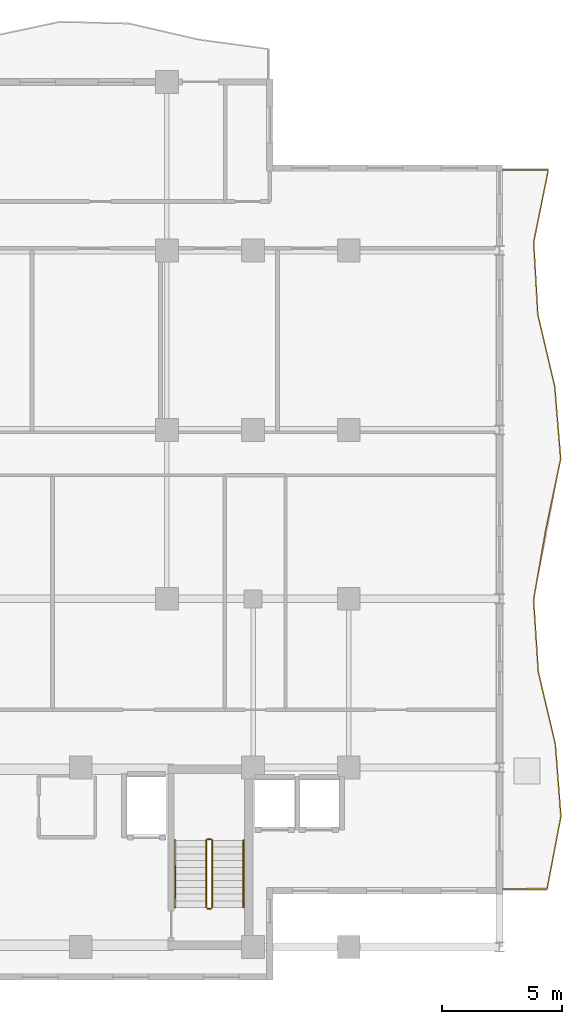
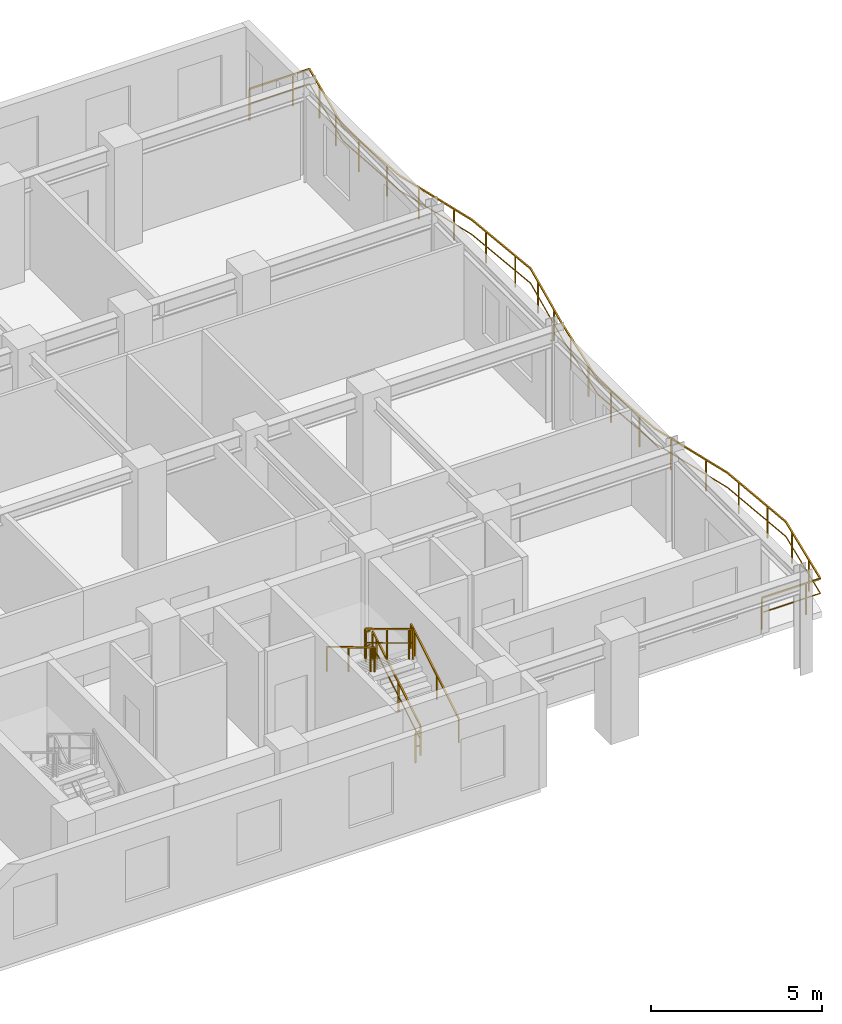
# One storey, part 19 of 20: 7 railings.
"""IFC4 building model written with IfcOpenShell, lengths in metres."""

from ifc_helpers import new_model, si_unit, direction, frame, origin, origin_2d, place, context, subcontext, project, spatial, rectangle, extrude, material, type_object, element, save


model = new_model("IFC4")

# Units and contexts
model_context = context("Model", 3, precision=1e-05, world=origin(), true_north=direction((0.0, 1.0)))
body_context = subcontext(model_context, "Body", "Model", "MODEL_VIEW")
ifc_project = project(units=[si_unit("LENGTHUNIT", "METRE"), si_unit("AREAUNIT", "SQUARE_METRE"), si_unit("VOLUMEUNIT", "CUBIC_METRE"), si_unit("PLANEANGLEUNIT", "RADIAN"), si_unit("MASSUNIT", "GRAM", prefix="KILO")], contexts=[model_context])

# Site, building, storey
site_placement = place(None, origin())
site = spatial("IfcSite", under=ifc_project, at=site_placement, CompositionType="ELEMENT")
building_placement = place(site_placement, origin())
building = spatial("IfcBuilding", under=site, at=building_placement, Name="Kaliganga Portal Commons", CompositionType="ELEMENT")
storey_placement = place(building_placement, frame((0.0, 0.0, 231.39990234375)))
storey = spatial("IfcBuildingStorey", under=building, at=storey_placement, Name="L59", CompositionType="ELEMENT", Elevation=231.39990234375)

# Railings
ifc_material_1 = material(Name="Laminated Safety Glass and Stainless Steel 316", Category="steel")
railing_type_1 = type_object("IfcRailingType", Name="RLG-BAL-1150", PredefinedType="BALUSTRADE", material=ifc_material_1)
railing_1_placement = place(storey_placement, frame((60.708984375, 9.4794921875, 0.0)))
element("IfcRailing", 1, at=railing_1_placement, inside=storey, type_object=railing_type_1, Name="Balcony Guardrail L59 balc_east", PredefinedType="BALUSTRADE", context=body_context, shape_type="SweptSolid", body=[
    extrude(rectangle(XDim=0.048095703125, YDim=0.048095703125, at=origin_2d()), frame((0.0, 0.0, 1.1259765625), z_axis=(0.999999969607, 0.000246548316, 0.0), x_axis=(-0.000246548316, 0.999999969607, 0.0)), (0.0, 0.0, 1.0), 1.98046875),
    extrude(rectangle(XDim=0.028076171875, YDim=0.028076171875, at=origin_2d()), frame((0.0, 0.0, 0.597900390625), z_axis=(0.999999969607, 0.000246548316, 0.0), x_axis=(-0.000246548316, 0.999999969607, 0.0)), (0.0, 0.0, 1.0), 1.98046875),
    extrude(rectangle(XDim=0.048095703125, YDim=0.048095703125, at=origin_2d()), frame((1.98046875, 0.00048828125, 1.1259765625), z_axis=(0.187495259421, 0.98226550774, 0.0), x_axis=(-0.98226550774, 0.187495259421, 0.0)), (0.0, 0.0, 1.0), 3.07421875),
    extrude(rectangle(XDim=0.028076171875, YDim=0.028076171875, at=origin_2d()), frame((1.98046875, 0.00048828125, 0.597900390625), z_axis=(0.187495259421, 0.98226550774, 0.0), x_axis=(-0.98226550774, 0.187495259421, 0.0)), (0.0, 0.0, 1.0), 3.07421875),
    extrude(rectangle(XDim=0.048095703125, YDim=0.048095703125, at=origin_2d()), frame((2.556884765625, 3.020263671875, 1.1259765625), z_axis=(-0.076252687559, 0.997088525478, 0.0), x_axis=(-0.997088525478, -0.076252687559, 0.0)), (0.0, 0.0, 1.0), 3.02880859375),
    extrude(rectangle(XDim=0.028076171875, YDim=0.028076171875, at=origin_2d()), frame((2.556884765625, 3.020263671875, 0.597900390625), z_axis=(-0.076252687559, 0.997088525478, 0.0), x_axis=(-0.997088525478, -0.076252687559, 0.0)), (0.0, 0.0, 1.0), 3.02880859375),
    extrude(rectangle(XDim=0.048095703125, YDim=0.048095703125, at=origin_2d()), frame((2.325927734375, 6.040283203125, 1.1259765625), z_axis=(-0.229797858528, 0.973238379954, 0.0), x_axis=(-0.973238379954, -0.229797858528, 0.0)), (0.0, 0.0, 1.0), 3.103271484375),
    extrude(rectangle(XDim=0.028076171875, YDim=0.028076171875, at=origin_2d()), frame((2.325927734375, 6.040283203125, 0.597900390625), z_axis=(-0.229797858528, 0.973238379954, 0.0), x_axis=(-0.973238379954, -0.229797858528, 0.0)), (0.0, 0.0, 1.0), 3.103271484375),
    extrude(rectangle(XDim=0.048095703125, YDim=0.048095703125, at=origin_2d()), frame((1.61279296875, 9.060546875, 1.1259765625), z_axis=(-0.064864326147, 0.997894092173, 0.0), x_axis=(-0.997894092173, -0.064864326147, 0.0)), (0.0, 0.0, 1.0), 3.026123046875),
    extrude(rectangle(XDim=0.028076171875, YDim=0.028076171875, at=origin_2d()), frame((1.61279296875, 9.060546875, 0.597900390625), z_axis=(-0.064864326147, 0.997894092173, 0.0), x_axis=(-0.997894092173, -0.064864326147, 0.0)), (0.0, 0.0, 1.0), 3.026123046875),
    extrude(rectangle(XDim=0.048095703125, YDim=0.048095703125, at=origin_2d()), frame((1.41650390625, 12.080322265625, 1.1259765625), z_axis=(0.171227240771, 0.985231562638, 0.0), x_axis=(-0.985231562638, 0.171227240771, 0.0)), (0.0, 0.0, 1.0), 2.984375),
    extrude(rectangle(XDim=0.028076171875, YDim=0.028076171875, at=origin_2d()), frame((1.41650390625, 12.080322265625, 0.597900390625), z_axis=(0.171227240771, 0.985231562638, 0.0), x_axis=(-0.985231562638, 0.171227240771, 0.0)), (0.0, 0.0, 1.0), 2.984375),
    extrude(rectangle(XDim=0.048095703125, YDim=0.048095703125, at=origin_2d()), frame((1.927490234375, 15.0205078125, 1.1259765625), z_axis=(0.206002299735, 0.978551507333, 0.0), x_axis=(-0.978551507333, 0.206002299735, 0.0)), (0.0, 0.0, 1.0), 3.0078125),
    extrude(rectangle(XDim=0.028076171875, YDim=0.028076171875, at=origin_2d()), frame((1.927490234375, 15.0205078125, 0.597900390625), z_axis=(0.206002299735, 0.978551507333, 0.0), x_axis=(-0.978551507333, 0.206002299735, 0.0)), (0.0, 0.0, 1.0), 3.0078125),
    extrude(rectangle(XDim=0.048095703125, YDim=0.048095703125, at=origin_2d()), frame((2.547119140625, 17.9638671875, 1.1259765625), z_axis=(-0.080895995771, 0.996722548089, 0.0), x_axis=(-0.996722548089, -0.080895995771, 0.0)), (0.0, 0.0, 1.0), 3.027099609375),
    extrude(rectangle(XDim=0.028076171875, YDim=0.028076171875, at=origin_2d()), frame((2.547119140625, 17.9638671875, 0.597900390625), z_axis=(-0.080895995771, 0.996722548089, 0.0), x_axis=(-0.996722548089, -0.080895995771, 0.0)), (0.0, 0.0, 1.0), 3.027099609375),
    extrude(rectangle(XDim=0.048095703125, YDim=0.048095703125, at=origin_2d()), frame((2.30224609375, 20.98095703125, 1.1259765625), z_axis=(-0.228806813317, 0.973471849711, 0.0), x_axis=(-0.973471849711, -0.228806813317, 0.0)), (0.0, 0.0, 1.0), 3.101806640625),
    extrude(rectangle(XDim=0.028076171875, YDim=0.028076171875, at=origin_2d()), frame((2.30224609375, 20.98095703125, 0.597900390625), z_axis=(-0.228806813317, 0.973471849711, 0.0), x_axis=(-0.973471849711, -0.228806813317, 0.0)), (0.0, 0.0, 1.0), 3.101806640625),
    extrude(rectangle(XDim=0.048095703125, YDim=0.048095703125, at=origin_2d()), frame((1.592529296875, 24.00048828125, 1.1259765625), z_axis=(-0.056900388168, 0.998379860487, 0.0), x_axis=(-0.998379860487, -0.056900388168, 0.0)), (0.0, 0.0, 1.0), 3.02490234375),
    extrude(rectangle(XDim=0.028076171875, YDim=0.028076171875, at=origin_2d()), frame((1.592529296875, 24.00048828125, 0.597900390625), z_axis=(-0.056900388168, 0.998379860487, 0.0), x_axis=(-0.998379860487, -0.056900388168, 0.0)), (0.0, 0.0, 1.0), 3.02490234375),
    extrude(rectangle(XDim=0.048095703125, YDim=0.048095703125, at=origin_2d()), frame((1.42041015625, 27.0205078125, 1.1259765625), z_axis=(0.198172829343, 0.98016709275, 0.0), x_axis=(-0.98016709275, 0.198172829343, 0.0)), (0.0, 0.0, 1.0), 3.0810546875),
    extrude(rectangle(XDim=0.028076171875, YDim=0.028076171875, at=origin_2d()), frame((1.42041015625, 27.0205078125, 0.597900390625), z_axis=(0.198172829343, 0.98016709275, 0.0), x_axis=(-0.98016709275, 0.198172829343, 0.0)), (0.0, 0.0, 1.0), 3.0810546875),
    extrude(rectangle(XDim=0.048095703125, YDim=0.048095703125, at=origin_2d()), frame((2.031005859375, 30.04052734375, 1.1259765625), z_axis=(-0.999999971101, 0.000240413504, 0.0), x_axis=(-0.000240413504, -0.999999971101, 0.0)), (0.0, 0.0, 1.0), 2.031005859375),
    extrude(rectangle(XDim=0.028076171875, YDim=0.028076171875, at=origin_2d()), frame((2.031005859375, 30.04052734375, 0.597900390625), z_axis=(-0.999999971101, 0.000240413504, 0.0), x_axis=(-0.000240413504, -0.999999971101, 0.0)), (0.0, 0.0, 1.0), 2.031005859375),
    extrude(rectangle(XDim=0.0419921875, YDim=0.0419921875, at=origin_2d()), origin(), (0.0, 0.0, 1.0), 1.101806640625),
    extrude(rectangle(XDim=0.0419921875, YDim=0.0419921875, at=origin_2d()), frame((1.5, 0.00048828125, 0.0)), (0.0, 0.0, 1.0), 1.101806640625),
    extrude(rectangle(XDim=0.0419921875, YDim=0.0419921875, at=origin_2d()), frame((2.171630859375, 1.001953125, 0.0)), (0.0, 0.0, 1.0), 1.101806640625),
    extrude(rectangle(XDim=0.0419921875, YDim=0.0419921875, at=origin_2d()), frame((2.452880859375, 2.475341796875, 0.0)), (0.0, 0.0, 1.0), 1.101806640625),
    extrude(rectangle(XDim=0.0419921875, YDim=0.0419921875, at=origin_2d()), frame((2.48486328125, 3.962646484375, 0.0)), (0.0, 0.0, 1.0), 1.101806640625),
    extrude(rectangle(XDim=0.0419921875, YDim=0.0419921875, at=origin_2d()), frame((2.370361328125, 5.45849609375, 0.0)), (0.0, 0.0, 1.0), 1.101806640625),
    extrude(rectangle(XDim=0.0419921875, YDim=0.0419921875, at=origin_2d()), frame((2.115234375, 6.93212890625, 0.0)), (0.0, 0.0, 1.0), 1.101806640625),
    extrude(rectangle(XDim=0.0419921875, YDim=0.0419921875, at=origin_2d()), frame((1.770751953125, 8.39208984375, 0.0)), (0.0, 0.0, 1.0), 1.101806640625),
    extrude(rectangle(XDim=0.0419921875, YDim=0.0419921875, at=origin_2d()), frame((1.56005859375, 9.871826171875, 0.0)), (0.0, 0.0, 1.0), 1.101806640625),
    extrude(rectangle(XDim=0.0419921875, YDim=0.0419921875, at=origin_2d()), frame((1.462646484375, 11.36865234375, 0.0)), (0.0, 0.0, 1.0), 1.101806640625),
    extrude(rectangle(XDim=0.0419921875, YDim=0.0419921875, at=origin_2d()), frame((1.55126953125, 12.855712890625, 0.0)), (0.0, 0.0, 1.0), 1.101806640625),
    extrude(rectangle(XDim=0.0419921875, YDim=0.0419921875, at=origin_2d()), frame((1.80810546875, 14.33349609375, 0.0)), (0.0, 0.0, 1.0), 1.101806640625),
    extrude(rectangle(XDim=0.0419921875, YDim=0.0419921875, at=origin_2d()), frame((2.0927734375, 15.805908203125, 0.0)), (0.0, 0.0, 1.0), 1.101806640625),
    extrude(rectangle(XDim=0.0419921875, YDim=0.0419921875, at=origin_2d()), frame((2.40185546875, 17.273681640625, 0.0)), (0.0, 0.0, 1.0), 1.101806640625),
    extrude(rectangle(XDim=0.0419921875, YDim=0.0419921875, at=origin_2d()), frame((2.48291015625, 18.756103515625, 0.0)), (0.0, 0.0, 1.0), 1.101806640625),
    extrude(rectangle(XDim=0.0419921875, YDim=0.0419921875, at=origin_2d()), frame((2.361572265625, 20.251220703125, 0.0)), (0.0, 0.0, 1.0), 1.101806640625),
    extrude(rectangle(XDim=0.0419921875, YDim=0.0419921875, at=origin_2d()), frame((2.12646484375, 21.728271484375, 0.0)), (0.0, 0.0, 1.0), 1.101806640625),
    extrude(rectangle(XDim=0.0419921875, YDim=0.0419921875, at=origin_2d()), frame((1.783447265625, 23.1884765625, 0.0)), (0.0, 0.0, 1.0), 1.101806640625),
    extrude(rectangle(XDim=0.0419921875, YDim=0.0419921875, at=origin_2d()), frame((1.5546875, 24.665283203125, 0.0)), (0.0, 0.0, 1.0), 1.101806640625),
    extrude(rectangle(XDim=0.0419921875, YDim=0.0419921875, at=origin_2d()), frame((1.46923828125, 26.162841796875, 0.0)), (0.0, 0.0, 1.0), 1.101806640625),
    extrude(rectangle(XDim=0.0419921875, YDim=0.0419921875, at=origin_2d()), frame((1.54736328125, 27.64892578125, 0.0)), (0.0, 0.0, 1.0), 1.101806640625),
    extrude(rectangle(XDim=0.0419921875, YDim=0.0419921875, at=origin_2d()), frame((1.8447265625, 29.119140625, 0.0)), (0.0, 0.0, 1.0), 1.101806640625),
    extrude(rectangle(XDim=0.0419921875, YDim=0.0419921875, at=origin_2d()), frame((1.47119140625, 30.040771484375, 0.0)), (0.0, 0.0, 1.0), 1.101806640625),
    extrude(rectangle(XDim=0.0419921875, YDim=0.0419921875, at=origin_2d()), frame((0.0, 30.041015625, 0.0)), (0.0, 0.0, 1.0), 1.101806640625),
])
ifc_material_2 = material(Name="Galvanized Painted Steel Balustrade", Category="steel")
railing_type_2 = type_object("IfcRailingType", Name="RLG-STAIR-GRD", PredefinedType="GUARDRAIL", material=ifc_material_2)
railing_2_placement = place(storey_placement, frame((48.699951171875, 8.699951171875, 0.168212890625)))
element("IfcRailing", 2, at=railing_2_placement, inside=storey, type_object=railing_type_2, Name="L59 ST-B2 stair guard 1", PredefinedType="GUARDRAIL", context=body_context, shape_type="SweptSolid", body=[
    extrude(rectangle(XDim=0.048095703125, YDim=0.048095703125, at=origin_2d()), frame((0.0, 0.0, 1.072021484375), z_axis=(0.0, 0.857242210791, 0.514913383045), x_axis=(-1.0, 0.0, 0.0)), (0.0, 0.0, 1.0), 3.266357421875),
    extrude(rectangle(XDim=0.028076171875, YDim=0.028076171875, at=origin_2d()), frame((0.0, 0.0, 0.572021484375), z_axis=(0.0, 0.857242210791, 0.514913383045), x_axis=(-1.0, 0.0, 0.0)), (0.0, 0.0, 1.0), 3.266357421875),
    extrude(rectangle(XDim=0.0419921875, YDim=0.0419921875, at=origin_2d()), origin(), (0.0, 0.0, 1.0), 1.052001953125),
    extrude(rectangle(XDim=0.0419921875, YDim=0.0419921875, at=origin_2d()), frame((0.0, 1.285888671875, 0.7724609375)), (0.0, 0.0, 1.0), 1.052001953125),
    extrude(rectangle(XDim=0.0419921875, YDim=0.0419921875, at=origin_2d()), frame((0.0, 2.57177734375, 1.544677734375)), (0.0, 0.0, 1.0), 1.052001953125),
    extrude(rectangle(XDim=0.0419921875, YDim=0.0419921875, at=origin_2d()), frame((0.0, 2.800048828125, 1.681884765625)), (0.0, 0.0, 1.0), 1.052001953125),
])
railing_3_placement = place(storey_placement, frame((48.64990234375, 11.550048828125, 1.85009765625)))
element("IfcRailing", 3, at=railing_3_placement, inside=storey, type_object=railing_type_2, Name="L59 ST-B2 stair guard 2", PredefinedType="GUARDRAIL", context=body_context, shape_type="SweptSolid", body=[
    extrude(rectangle(XDim=0.048095703125, YDim=0.048095703125, at=origin_2d()), frame((0.0, 0.0, 1.076171875), z_axis=(-1.0, 0.0, 0.0), x_axis=(0.0, -1.0, 0.0)), (0.0, 0.0, 1.0), 0.14990234375),
    extrude(rectangle(XDim=0.028076171875, YDim=0.028076171875, at=origin_2d()), frame((0.0, 0.0, 0.572021484375), z_axis=(-1.0, 0.0, 0.0), x_axis=(0.0, -1.0, 0.0)), (0.0, 0.0, 1.0), 0.14990234375),
    extrude(rectangle(XDim=0.0419921875, YDim=0.0419921875, at=origin_2d()), frame((-0.14990234375, 0.0, 0.0)), (0.0, 0.0, 1.0), 1.052001953125),
])
railing_4_placement = place(storey_placement, frame((48.449951171875, 11.5, 2.018310546875)))
element("IfcRailing", 4, at=railing_4_placement, inside=storey, type_object=railing_type_2, Name="L59 ST-B2 stair guard 3", PredefinedType="GUARDRAIL", context=body_context, shape_type="SweptSolid", body=[
    extrude(rectangle(XDim=0.048095703125, YDim=0.048095703125, at=origin_2d()), frame((0.0, 0.0, 1.072021484375), z_axis=(0.0, -0.857242210791, 0.514913383045), x_axis=(1.0, 0.0, 0.0)), (0.0, 0.0, 1.0), 3.266357421875),
    extrude(rectangle(XDim=0.028076171875, YDim=0.028076171875, at=origin_2d()), frame((0.0, 0.0, 0.572021484375), z_axis=(0.0, -0.857242210791, 0.514913383045), x_axis=(1.0, 0.0, 0.0)), (0.0, 0.0, 1.0), 3.266357421875),
    extrude(rectangle(XDim=0.0419921875, YDim=0.0419921875, at=origin_2d()), origin(), (0.0, 0.0, 1.0), 1.052001953125),
    extrude(rectangle(XDim=0.0419921875, YDim=0.0419921875, at=origin_2d()), frame((0.0, -1.285888671875, 0.7724609375)), (0.0, 0.0, 1.0), 1.052001953125),
    extrude(rectangle(XDim=0.0419921875, YDim=0.0419921875, at=origin_2d()), frame((0.0, -2.57177734375, 1.544677734375)), (0.0, 0.0, 1.0), 1.052001953125),
    extrude(rectangle(XDim=0.0419921875, YDim=0.0419921875, at=origin_2d()), frame((0.0, -2.800048828125, 1.681884765625)), (0.0, 0.0, 1.0), 1.052001953125),
])
railing_5_placement = place(storey_placement, frame((48.64990234375, 8.64990234375, 0.0)))
element("IfcRailing", 5, at=railing_5_placement, inside=storey, type_object=railing_type_2, Name="L59 ST-B2 stair guard 4", PredefinedType="GUARDRAIL", context=body_context, shape_type="SweptSolid", body=[
    extrude(rectangle(XDim=0.048095703125, YDim=0.048095703125, at=origin_2d()), frame((0.0, 0.0, 1.076171875), z_axis=(-1.0, 0.0, 0.0), x_axis=(0.0, -1.0, 0.0)), (0.0, 0.0, 1.0), 0.14990234375),
    extrude(rectangle(XDim=0.028076171875, YDim=0.028076171875, at=origin_2d()), frame((0.0, 0.0, 0.572021484375), z_axis=(-1.0, 0.0, 0.0), x_axis=(0.0, -1.0, 0.0)), (0.0, 0.0, 1.0), 0.14990234375),
    extrude(rectangle(XDim=0.0419921875, YDim=0.0419921875, at=origin_2d()), frame((-0.14990234375, 0.0, 0.0)), (0.0, 0.0, 1.0), 1.052001953125),
])
ifc_material_3 = material(Name="Brushed Stainless Steel 316", Category="steel")
railing_type_3 = type_object("IfcRailingType", Name="RLG-STAIR-HR", PredefinedType="HANDRAIL", material=ifc_material_3)
railing_6_placement = place(storey_placement, frame((50.0, 8.699951171875, 0.168212890625)))
element("IfcRailing", 6, at=railing_6_placement, inside=storey, type_object=railing_type_3, Name="L59 ST-B2 stair handrail 1", PredefinedType="HANDRAIL", context=body_context, shape_type="SweptSolid", body=[
    extrude(rectangle(XDim=0.048095703125, YDim=0.048095703125, at=origin_2d()), frame((0.0, 0.0, 0.871826171875), z_axis=(0.0, 0.857242210791, 0.514913383045), x_axis=(-1.0, 0.0, 0.0)), (0.0, 0.0, 1.0), 3.266357421875),
    extrude(rectangle(XDim=0.0419921875, YDim=0.0419921875, at=origin_2d()), origin(), (0.0, 0.0, 1.0), 0.851806640625),
    extrude(rectangle(XDim=0.0419921875, YDim=0.0419921875, at=origin_2d()), frame((0.0, 1.285888671875, 0.7724609375)), (0.0, 0.0, 1.0), 0.851806640625),
    extrude(rectangle(XDim=0.0419921875, YDim=0.0419921875, at=origin_2d()), frame((0.0, 2.57177734375, 1.544677734375)), (0.0, 0.0, 1.0), 0.851806640625),
    extrude(rectangle(XDim=0.0419921875, YDim=0.0419921875, at=origin_2d()), frame((0.0, 2.800048828125, 1.681884765625)), (0.0, 0.0, 1.0), 0.851806640625),
])
railing_7_placement = place(storey_placement, frame((47.14990234375, 11.5, 2.018310546875)))
element("IfcRailing", 7, at=railing_7_placement, inside=storey, type_object=railing_type_3, Name="L59 ST-B2 stair handrail 2", PredefinedType="HANDRAIL", context=body_context, shape_type="SweptSolid", body=[
    extrude(rectangle(XDim=0.048095703125, YDim=0.048095703125, at=origin_2d()), frame((0.0, 0.0, 0.871826171875), z_axis=(0.0, -0.857242210791, 0.514913383045), x_axis=(1.0, 0.0, 0.0)), (0.0, 0.0, 1.0), 3.266357421875),
    extrude(rectangle(XDim=0.0419921875, YDim=0.0419921875, at=origin_2d()), origin(), (0.0, 0.0, 1.0), 0.851806640625),
    extrude(rectangle(XDim=0.0419921875, YDim=0.0419921875, at=origin_2d()), frame((0.0, -1.285888671875, 0.7724609375)), (0.0, 0.0, 1.0), 0.851806640625),
    extrude(rectangle(XDim=0.0419921875, YDim=0.0419921875, at=origin_2d()), frame((0.0, -2.57177734375, 1.544677734375)), (0.0, 0.0, 1.0), 0.851806640625),
    extrude(rectangle(XDim=0.0419921875, YDim=0.0419921875, at=origin_2d()), frame((0.0, -2.800048828125, 1.681884765625)), (0.0, 0.0, 1.0), 0.851806640625),
])

save(model, "model.ifc")
